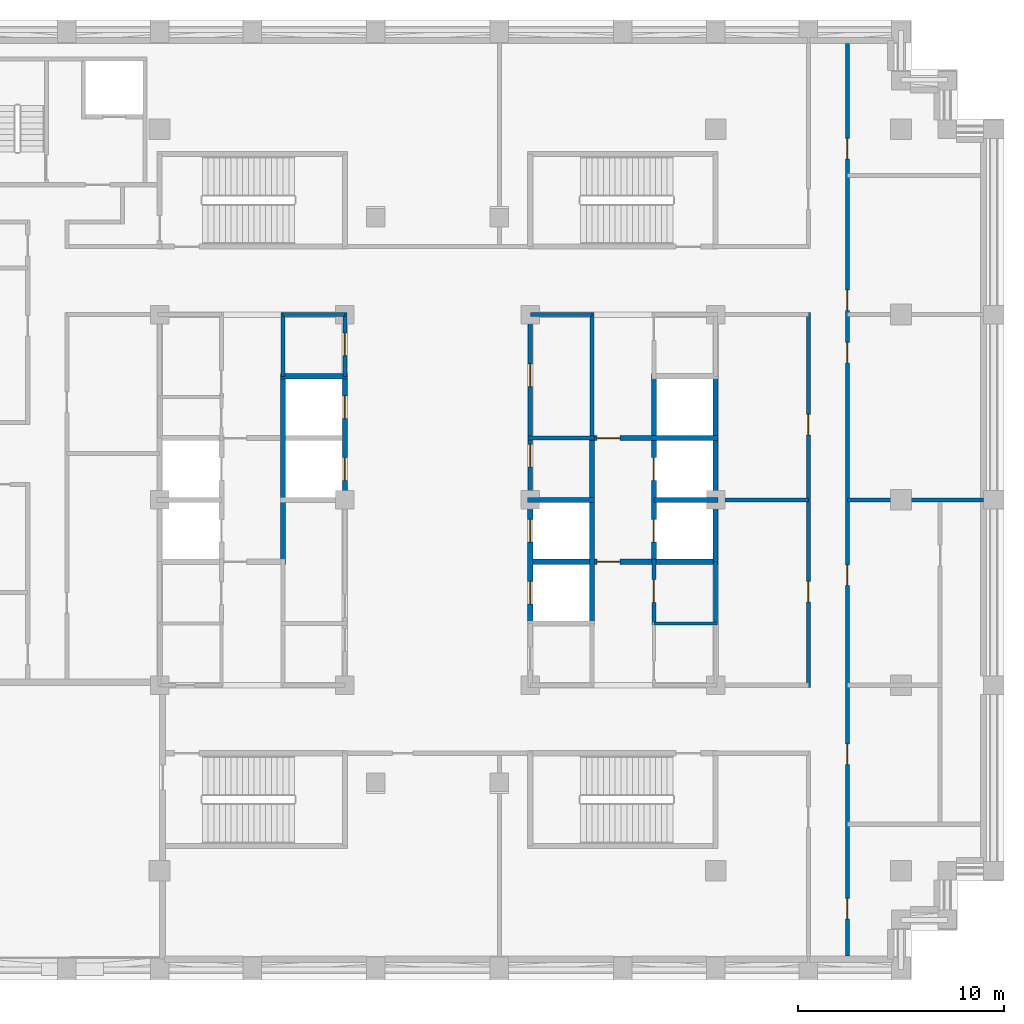
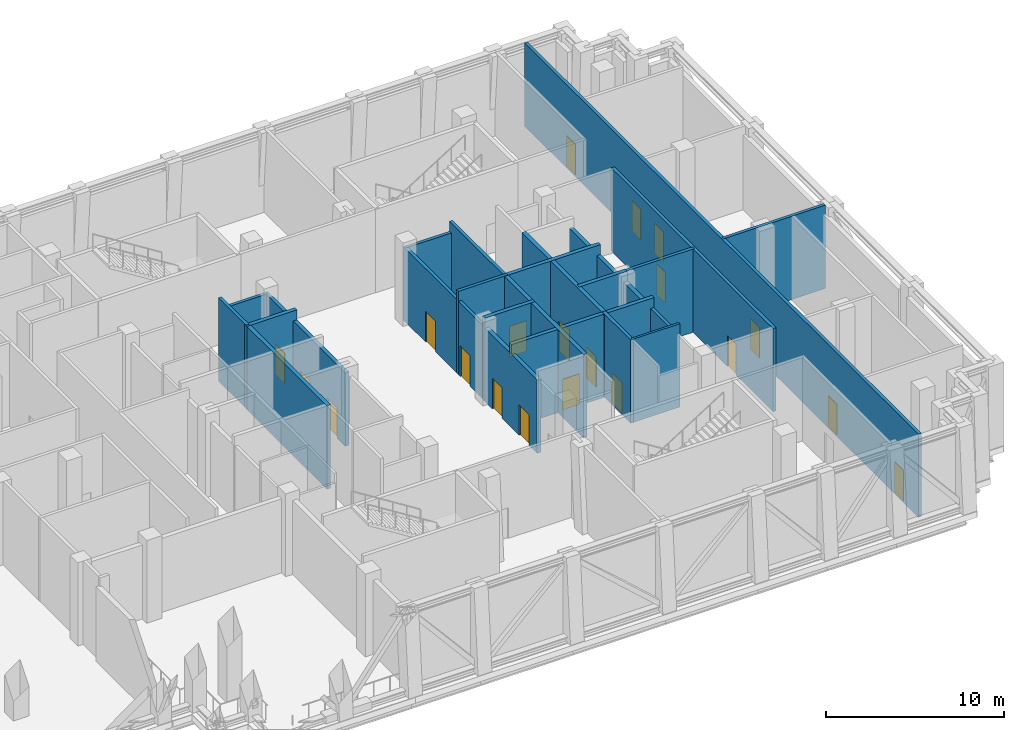
# One storey, part 6 of 10: 25 walls, 20 doors, 20 openings.
"""IFC4 building model written with IfcOpenShell, lengths in metres."""

import ifcopenshell
import ifcopenshell.guid

model = None  # the IFC model being written
_history = None  # IfcOwnerHistory: only IFC2X3 demands one
_inside = {}  # id of a spatial element -> (the spatial element, [elements in it])
_under = {}  # id of a project, library or spatial element -> (it, [spatial elements below it])
_declared = {}  # id of a project -> (the project, [libraries it declares])
_typed = {}  # id of a type object -> (the type object, [elements of that type])
_made_of = {}  # id of a material, layer set ... -> (it, [elements and type objects made of it])


def new_model(schema):
    """Start an empty IFC model of exactly this schema.

    Asked for "IFC4X3", IfcOpenShell would pick the latest addendum, in which some entities
    have other attributes; the version numbers below select the first issue.
    IFC2X3 requires an IfcOwnerHistory on every rooted entity: one is made here for all.
    """
    global model, _history
    if schema == "IFC4X3":
        model = ifcopenshell.file(schema_version=(4, 3, 0, 0))
    else:
        model = ifcopenshell.file(schema=schema)
    _inside.clear()
    _under.clear()
    _declared.clear()
    _typed.clear()
    _made_of.clear()
    _history = None
    if model.schema == "IFC2X3":
        org = make("IfcOrganization", Name="unknown")
        user = make(
            "IfcPersonAndOrganization",
            ThePerson=make("IfcPerson", FamilyName="unknown"),
            TheOrganization=org,
        )
        app = make(
            "IfcApplication",
            ApplicationDeveloper=org,
            Version="unknown",
            ApplicationFullName="unknown",
            ApplicationIdentifier="unknown",
        )
        _history = make(
            "IfcOwnerHistory",
            OwningUser=user,
            OwningApplication=app,
            ChangeAction="ADDED",
            CreationDate=0,
        )
    return model


def make(cls, **values):
    """One entity of the class cls with the attributes given. An attribute that is None is left unset."""
    return model.create_entity(
        cls, **{name: value for name, value in values.items() if value is not None}
    )


def rooted(cls, **values):
    """An entity with a GlobalId (a new one), such as an element, a storey or a relation."""
    return make(cls, GlobalId=ifcopenshell.guid.new(), OwnerHistory=_history, **values)


def si_unit(unit_type, name, prefix=None):
    """IfcSIUnit, for example si_unit("LENGTHUNIT", "METRE", prefix="MILLI")."""
    return make("IfcSIUnit", UnitType=unit_type, Prefix=prefix, Name=name)


def assignment(units):
    """IfcUnitAssignment: the units of a project."""
    return None if units is None else make("IfcUnitAssignment", Units=units)


def point(xyz):
    """IfcCartesianPoint."""
    return None if xyz is None else make("IfcCartesianPoint", Coordinates=xyz)


def direction(xyz):
    """IfcDirection."""
    return None if xyz is None else make("IfcDirection", DirectionRatios=xyz)


def frame(location, z_axis=None, x_axis=None):
    """IfcAxis2Placement3D, a coordinate frame: its origin and axes. An axis left out is left unset."""
    return make(
        "IfcAxis2Placement3D",
        Location=point(location),
        Axis=direction(z_axis),
        RefDirection=direction(x_axis),
    )


def frame_2d(location, x_axis=None):
    """IfcAxis2Placement2D, a coordinate frame in the plane: its origin and x axis."""
    return make(
        "IfcAxis2Placement2D", Location=point(location), RefDirection=direction(x_axis)
    )


def origin():
    """The frame at (0, 0, 0) with its axes left unset."""
    return frame((0.0, 0.0, 0.0))


def place(relative_to, where):
    """IfcLocalPlacement: puts the frame where relative to a parent placement (None: the world)."""
    return make(
        "IfcLocalPlacement", PlacementRelTo=relative_to, RelativePlacement=where
    )


def context(
    kind, dimensions, precision=None, world=None, true_north=None, identifier=None
):
    """IfcGeometricRepresentationContext, for example the 3D "Model" context."""
    return make(
        "IfcGeometricRepresentationContext",
        ContextIdentifier=identifier,
        ContextType=kind,
        CoordinateSpaceDimension=dimensions,
        Precision=precision,
        WorldCoordinateSystem=world,
        TrueNorth=true_north,
    )


def subcontext(parent, identifier, kind, view, scale=None):
    """IfcGeometricRepresentationSubContext, for example "Body" below "Model"."""
    return make(
        "IfcGeometricRepresentationSubContext",
        ContextIdentifier=identifier,
        ContextType=kind,
        ParentContext=parent,
        TargetScale=scale,
        TargetView=view,
    )


def project(units=None, contexts=None):
    """IfcProject with its units and contexts."""
    return rooted(
        "IfcProject",
        Name="project",
        RepresentationContexts=contexts,
        UnitsInContext=assignment(units),
    )


def spatial(cls, under=None, at=None, **own):
    """A site, building, storey or space (cls), placed at a placement, below another one or the project."""
    s = rooted(cls, ObjectPlacement=at, **own)
    if under is not None:
        _under.setdefault(under.id(), (under, []))[1].append(s)
    return s


def profile(cls, at=None, kind="AREA", **sizes):
    """A parametric profile (cls). Its sizes go by their IFC names, for example OverallWidth=200.0."""
    return make(cls, ProfileType=kind, Position=at, **sizes)


def rectangle(**sizes):
    """IfcRectangleProfileDef."""
    return profile("IfcRectangleProfileDef", **sizes)


def extrude(swept, where, along, depth):
    """IfcExtrudedAreaSolid: the profile swept, set in the frame where, extruded along a direction by depth."""
    return make(
        "IfcExtrudedAreaSolid",
        SweptArea=swept,
        Position=where,
        ExtrudedDirection=direction(along),
        Depth=depth,
    )


def shape(context_of_items, identifier, shape_type, items):
    """IfcShapeRepresentation: the items that make up one representation, for example the "Body"."""
    return make(
        "IfcShapeRepresentation",
        ContextOfItems=context_of_items,
        RepresentationIdentifier=identifier,
        RepresentationType=shape_type,
        Items=items,
    )


def material(Name=None, Category=None):
    """IfcMaterial."""
    return make("IfcMaterial", Name=Name, Category=Category)


def layer(
    of_material, thickness, ventilated=None, Name=None, Category=None, Priority=None
):
    """IfcMaterialLayer: one layer of a wall or slab, of a material (None: an air gap)."""
    return make(
        "IfcMaterialLayer",
        Material=of_material,
        LayerThickness=thickness,
        IsVentilated=ventilated,
        Name=Name,
        Category=Category,
        Priority=Priority,
    )


def layer_set(layers, Name=None):
    """IfcMaterialLayerSet."""
    return make("IfcMaterialLayerSet", MaterialLayers=layers, LayerSetName=Name)


def made_of(thing, what):
    """Note that an element or type object is made of a material, layer set ...; save() writes the relation."""
    if what is not None:
        _made_of.setdefault(what.id(), (what, []))[1].append(thing)
    return thing


def type_object(cls, material=None, **own):
    """A type object (cls), such as IfcWallType, which elements share."""
    return made_of(rooted(cls, **own), material)


def element(
    cls,
    number,
    at=None,
    inside=None,
    cuts=None,
    type_object=None,
    material=None,
    context=None,
    identifier="Body",
    shape_type=None,
    held_by="IfcProductDefinitionShape",
    body=None,
    shapes=None,
    **own,
):
    """One element of the class cls, such as IfcWall. Its Tag is "e" and its number.

    at: its placement. inside: the storey or other place that contains it. cuts: it is an
    opening in that element (IfcRelVoidsElement). A single representation is given by context,
    identifier, shape_type and body (its items); several are given by shapes. held_by: the class
    of the entity that holds the representations. save() writes the other relations.
    """
    e = rooted(cls, Tag="e%d" % number, ObjectPlacement=at, **own)
    if body is not None:
        shapes = [shape(context, identifier, shape_type, body)]
    if shapes is not None:
        e.Representation = make(held_by, Representations=shapes)
    if inside is not None:
        _inside.setdefault(inside.id(), (inside, []))[1].append(e)
    if cuts is not None:
        rooted(
            "IfcRelVoidsElement", RelatingBuildingElement=cuts, RelatedOpeningElement=e
        )
    if type_object is not None:
        _typed.setdefault(type_object.id(), (type_object, []))[1].append(e)
    return made_of(e, material)


def fill(opening, filler):
    """IfcRelFillsElement: the door or window that sits in an opening."""
    return rooted(
        "IfcRelFillsElement",
        RelatingOpeningElement=opening,
        RelatedBuildingElement=filler,
    )


def aggregate(whole, parts):
    """IfcRelAggregates: a whole, such as a stair, and the parts it consists of."""
    return rooted("IfcRelAggregates", RelatingObject=whole, RelatedObjects=parts)


def save(model, path):
    """Write the relations noted so far, then the file.

    IfcRelAggregates (storeys below a building ...), IfcRelContainedInSpatialStructure (elements
    in a storey), IfcRelDefinesByType, IfcRelAssociatesMaterial and IfcRelDeclares: one each for
    every whole, place, type object, material and project.
    """
    for whole, parts in _under.values():
        aggregate(whole, parts)
    for where, things in _inside.values():
        rooted(
            "IfcRelContainedInSpatialStructure",
            RelatedElements=things,
            RelatingStructure=where,
        )
    for kind, things in _typed.values():
        rooted("IfcRelDefinesByType", RelatedObjects=things, RelatingType=kind)
    for what, things in _made_of.values():
        rooted("IfcRelAssociatesMaterial", RelatedObjects=things, RelatingMaterial=what)
    for by, libraries in _declared.values():
        rooted("IfcRelDeclares", RelatingContext=by, RelatedDefinitions=libraries)
    model.write(path)


model = new_model("IFC4")

# Units and contexts
model_context = context("Model", 3, precision=1e-05, world=origin(), true_north=direction((0.0, 1.0)))
body_context = subcontext(model_context, "Body", "Model", "MODEL_VIEW")
ifc_project = project(units=[si_unit("LENGTHUNIT", "METRE"), si_unit("AREAUNIT", "SQUARE_METRE"), si_unit("VOLUMEUNIT", "CUBIC_METRE"), si_unit("PLANEANGLEUNIT", "RADIAN"), si_unit("MASSUNIT", "GRAM", prefix="KILO")], contexts=[model_context])

# Site, building, storey
site_placement = place(None, origin())
site = spatial("IfcSite", under=ifc_project, at=site_placement, CompositionType="ELEMENT")
building_placement = place(site_placement, origin())
building = spatial("IfcBuilding", under=site, at=building_placement, Name="Corbelhall Arena Tower", CompositionType="ELEMENT")
storey_placement = place(building_placement, frame((0.0, 0.0, 236.0)))
storey = spatial("IfcBuildingStorey", under=building, at=storey_placement, Name="L50", CompositionType="ELEMENT", Elevation=236.0)

# Wall
ifc_material_1 = material(Name="Gypsum board on steel stud, acoustic", Category="steel")
ifc_layer_1 = layer(ifc_material_1, 0.199951171875)
ifc_layer_set_1 = layer_set([ifc_layer_1], Name="IN-W-DM200")
wall_type_1 = type_object("IfcWallType", Name="IN-W-DM200", PredefinedType="PARTITIONING", material=ifc_layer_set_1)
wall_1_placement = place(storey_placement, frame((13.5, 0.0, 0.0), z_axis=(0.0, 0.0, 1.0), x_axis=(1.0, 0.0, 0.0)))
element("IfcWall", 1, at=wall_1_placement, inside=storey, type_object=wall_type_1, Name="Partition 029", PredefinedType="PARTITIONING", context=body_context, shape_type="SweptSolid", body=[
    extrude(rectangle(XDim=4.5, YDim=0.199951171875, at=frame_2d((2.25, 0.0))), origin(), (0.0, 0.0, 1.0), 5.719970703125),
])

# Wall, openings, doors
wall_2_placement = place(storey_placement, frame((18.0, -9.10009765625, 0.0), z_axis=(0.0, 0.0, 1.0), x_axis=(0.0, 1.0, 0.0)))
wall_2 = element("IfcWall", 2, at=wall_2_placement, inside=storey, type_object=wall_type_1, Name="Partition 032", PredefinedType="PARTITIONING", context=body_context, shape_type="SweptSolid", body=[
    extrude(rectangle(XDim=18.2001953125, YDim=0.199951171875, at=frame_2d((9.10009765625, 0.0))), origin(), (0.0, 0.0, 1.0), 5.719970703125),
])
opening_1_placement = place(wall_2_placement, frame((4.14990234375, 0.0, 0.0)))
opening_1 = element("IfcOpeningElement", 3, at=opening_1_placement, cuts=wall_2, Name="Opening 28025", PredefinedType="OPENING", context=body_context, shape_type="SweptSolid", body=[
    extrude(rectangle(XDim=1.0, YDim=2.10009765625, at=frame_2d((0.5, 1.050048828125))), frame((0.0, 0.10009765625, 0.0), z_axis=(0.0, -1.0, 0.0), x_axis=(1.0, 0.0, 0.0)), (0.0, 0.0, 1.0), 0.199951171875),
])
opening_2_placement = place(wall_2_placement, frame((12.25, 0.0, 0.0)))
opening_2 = element("IfcOpeningElement", 4, at=opening_2_placement, cuts=wall_2, Name="Opening 28026", PredefinedType="OPENING", context=body_context, shape_type="SweptSolid", body=[
    extrude(rectangle(XDim=1.0, YDim=2.10009765625, at=frame_2d((0.5, 1.050048828125))), frame((0.0, 0.10009765625, 0.0), z_axis=(0.0, -1.0, 0.0), x_axis=(1.0, 0.0, 0.0)), (0.0, 0.0, 1.0), 0.199951171875),
])
ifc_material_2 = material(Name="Steel door set", Category="steel")
door_type_1 = type_object("IfcDoorType", Name="IN-D-SW100", OperationType="NOTDEFINED", PredefinedType="DOOR", material=ifc_material_2)
door_1_placement = place(opening_1_placement, origin())
door_1 = element("IfcDoor", 5, at=door_1_placement, inside=storey, type_object=door_type_1, Name="Door 025", OperationType="SINGLE_SWING_RIGHT", OverallHeight=2.10009765625, OverallWidth=1.0, PredefinedType="DOOR", context=body_context, shape_type="SweptSolid", body=[
    extrude(rectangle(XDim=1.0, YDim=2.10009765625, at=frame_2d((0.5, 1.050048828125))), frame((0.0, 0.02490234375, 0.0), z_axis=(0.0, -1.0, 0.0), x_axis=(1.0, 0.0, 0.0)), (0.0, 0.0, 1.0), 0.050048828125),
])
fill(opening_1, door_1)
door_2_placement = place(opening_2_placement, origin())
door_2 = element("IfcDoor", 6, at=door_2_placement, inside=storey, type_object=door_type_1, Name="Door 026", OperationType="SINGLE_SWING_LEFT", OverallHeight=2.10009765625, OverallWidth=1.0, PredefinedType="DOOR", context=body_context, shape_type="SweptSolid", body=[
    extrude(rectangle(XDim=1.0, YDim=2.10009765625, at=frame_2d((0.5, 1.050048828125))), frame((0.0, 0.02490234375, 0.0), z_axis=(0.0, -1.0, 0.0), x_axis=(1.0, 0.0, 0.0)), (0.0, 0.0, 1.0), 0.050048828125),
])
fill(opening_2, door_2)

wall_3_placement = place(storey_placement, frame((19.89990234375, 22.14990234375, 0.0), z_axis=(0.0, 0.0, 1.0), x_axis=(0.0, -1.0, 0.0)))
wall_3 = element("IfcWall", 7, at=wall_3_placement, inside=storey, type_object=wall_type_1, Name="Partition 036", PredefinedType="PARTITIONING", context=body_context, shape_type="SweptSolid", body=[
    extrude(rectangle(XDim=44.2998046875, YDim=0.199951171875, at=frame_2d((22.14990234375, 0.0))), origin(), (0.0, 0.0, 1.0), 5.719970703125),
])
opening_3_placement = place(wall_3_placement, frame((14.5, 0.0, 0.0)))
opening_3 = element("IfcOpeningElement", 8, at=opening_3_placement, cuts=wall_3, Name="Opening 28035", PredefinedType="OPENING", context=body_context, shape_type="SweptSolid", body=[
    extrude(rectangle(XDim=1.0, YDim=2.10009765625, at=frame_2d((0.5, 1.050048828125))), frame((0.0, 0.10009765625, 0.0), z_axis=(0.0, -1.0, 0.0), x_axis=(1.0, 0.0, 0.0)), (0.0, 0.0, 1.0), 0.199951171875),
])
opening_4_placement = place(wall_3_placement, frame((11.949951171875, 0.0, 0.0)))
opening_4 = element("IfcOpeningElement", 9, at=opening_4_placement, cuts=wall_3, Name="Opening 28036", PredefinedType="OPENING", context=body_context, shape_type="SweptSolid", body=[
    extrude(rectangle(XDim=1.0, YDim=2.10009765625, at=frame_2d((0.5, 1.050048828125))), frame((0.0, 0.10009765625, 0.0), z_axis=(0.0, -1.0, 0.0), x_axis=(1.0, 0.0, 0.0)), (0.0, 0.0, 1.0), 0.199951171875),
])
opening_5_placement = place(wall_3_placement, frame((4.60009765625, 0.0, 0.0)))
opening_5 = element("IfcOpeningElement", 10, at=opening_5_placement, cuts=wall_3, Name="Opening 28037", PredefinedType="OPENING", context=body_context, shape_type="SweptSolid", body=[
    extrude(rectangle(XDim=1.0, YDim=2.10009765625, at=frame_2d((0.5, 1.050048828125))), frame((0.0, 0.10009765625, 0.0), z_axis=(0.0, -1.0, 0.0), x_axis=(1.0, 0.0, 0.0)), (0.0, 0.0, 1.0), 0.199951171875),
])
opening_6_placement = place(wall_3_placement, frame((41.5, 0.0, 0.0)))
opening_6 = element("IfcOpeningElement", 11, at=opening_6_placement, cuts=wall_3, Name="Opening 28038", PredefinedType="OPENING", context=body_context, shape_type="SweptSolid", body=[
    extrude(rectangle(XDim=1.0, YDim=2.10009765625, at=frame_2d((0.5, 1.050048828125))), frame((0.0, 0.10009765625, 0.0), z_axis=(0.0, -1.0, 0.0), x_axis=(1.0, 0.0, 0.0)), (0.0, 0.0, 1.0), 0.199951171875),
])
opening_7_placement = place(wall_3_placement, frame((34.0, 0.0, 0.0)))
opening_7 = element("IfcOpeningElement", 12, at=opening_7_placement, cuts=wall_3, Name="Opening 28039", PredefinedType="OPENING", context=body_context, shape_type="SweptSolid", body=[
    extrude(rectangle(XDim=1.0, YDim=2.10009765625, at=frame_2d((0.5, 1.050048828125))), frame((0.0, 0.10009765625, 0.0), z_axis=(0.0, -1.0, 0.0), x_axis=(1.0, 0.0, 0.0)), (0.0, 0.0, 1.0), 0.199951171875),
])
opening_8_placement = place(wall_3_placement, frame((25.300048828125, 0.0, 0.0)))
opening_8 = element("IfcOpeningElement", 13, at=opening_8_placement, cuts=wall_3, Name="Opening 28040", PredefinedType="OPENING", context=body_context, shape_type="SweptSolid", body=[
    extrude(rectangle(XDim=1.0, YDim=2.10009765625, at=frame_2d((0.5, 1.050048828125))), frame((0.0, 0.10009765625, 0.0), z_axis=(0.0, -1.0, 0.0), x_axis=(1.0, 0.0, 0.0)), (0.0, 0.0, 1.0), 0.199951171875),
])
door_3_placement = place(opening_3_placement, origin())
door_3 = element("IfcDoor", 14, at=door_3_placement, inside=storey, type_object=door_type_1, Name="Door 035", OperationType="SINGLE_SWING_RIGHT", OverallHeight=2.10009765625, OverallWidth=1.0, PredefinedType="DOOR", context=body_context, shape_type="SweptSolid", body=[
    extrude(rectangle(XDim=1.0, YDim=2.10009765625, at=frame_2d((0.5, 1.050048828125))), frame((0.0, 0.02490234375, 0.0), z_axis=(0.0, -1.0, 0.0), x_axis=(1.0, 0.0, 0.0)), (0.0, 0.0, 1.0), 0.050048828125),
])
fill(opening_3, door_3)
door_4_placement = place(opening_4_placement, origin())
door_4 = element("IfcDoor", 15, at=door_4_placement, inside=storey, type_object=door_type_1, Name="Door 036", OperationType="SINGLE_SWING_LEFT", OverallHeight=2.10009765625, OverallWidth=1.0, PredefinedType="DOOR", context=body_context, shape_type="SweptSolid", body=[
    extrude(rectangle(XDim=1.0, YDim=2.10009765625, at=frame_2d((0.5, 1.050048828125))), frame((0.0, 0.02490234375, 0.0), z_axis=(0.0, -1.0, 0.0), x_axis=(1.0, 0.0, 0.0)), (0.0, 0.0, 1.0), 0.050048828125),
])
fill(opening_4, door_4)
door_5_placement = place(opening_5_placement, origin())
door_5 = element("IfcDoor", 16, at=door_5_placement, inside=storey, type_object=door_type_1, Name="Door 037", OperationType="SINGLE_SWING_RIGHT", OverallHeight=2.10009765625, OverallWidth=1.0, PredefinedType="DOOR", context=body_context, shape_type="SweptSolid", body=[
    extrude(rectangle(XDim=1.0, YDim=2.10009765625, at=frame_2d((0.5, 1.050048828125))), frame((0.0, 0.02490234375, 0.0), z_axis=(0.0, -1.0, 0.0), x_axis=(1.0, 0.0, 0.0)), (0.0, 0.0, 1.0), 0.050048828125),
])
fill(opening_5, door_5)
door_6_placement = place(opening_6_placement, origin())
door_6 = element("IfcDoor", 17, at=door_6_placement, inside=storey, type_object=door_type_1, Name="Door 038", OperationType="SINGLE_SWING_LEFT", OverallHeight=2.10009765625, OverallWidth=1.0, PredefinedType="DOOR", context=body_context, shape_type="SweptSolid", body=[
    extrude(rectangle(XDim=1.0, YDim=2.10009765625, at=frame_2d((0.5, 1.050048828125))), frame((0.0, 0.02490234375, 0.0), z_axis=(0.0, -1.0, 0.0), x_axis=(1.0, 0.0, 0.0)), (0.0, 0.0, 1.0), 0.050048828125),
])
fill(opening_6, door_6)
door_7_placement = place(opening_7_placement, origin())
door_7 = element("IfcDoor", 18, at=door_7_placement, inside=storey, type_object=door_type_1, Name="Door 039", OperationType="SINGLE_SWING_RIGHT", OverallHeight=2.10009765625, OverallWidth=1.0, PredefinedType="DOOR", context=body_context, shape_type="SweptSolid", body=[
    extrude(rectangle(XDim=1.0, YDim=2.10009765625, at=frame_2d((0.5, 1.050048828125))), frame((0.0, 0.02490234375, 0.0), z_axis=(0.0, -1.0, 0.0), x_axis=(1.0, 0.0, 0.0)), (0.0, 0.0, 1.0), 0.050048828125),
])
fill(opening_7, door_7)
door_8_placement = place(opening_8_placement, origin())
door_8 = element("IfcDoor", 19, at=door_8_placement, inside=storey, type_object=door_type_1, Name="Door 040", OperationType="SINGLE_SWING_LEFT", OverallHeight=2.10009765625, OverallWidth=1.0, PredefinedType="DOOR", context=body_context, shape_type="SweptSolid", body=[
    extrude(rectangle(XDim=1.0, YDim=2.10009765625, at=frame_2d((0.5, 1.050048828125))), frame((0.0, 0.02490234375, 0.0), z_axis=(0.0, -1.0, 0.0), x_axis=(1.0, 0.0, 0.0)), (0.0, 0.0, 1.0), 0.050048828125),
])
fill(opening_8, door_8)

# Walls
wall_4_placement = place(storey_placement, frame((26.5, 0.0, 0.0), z_axis=(0.0, 0.0, 1.0), x_axis=(-1.0, 0.0, 0.0)))
element("IfcWall", 20, at=wall_4_placement, inside=storey, type_object=wall_type_1, Name="Partition 041", PredefinedType="PARTITIONING", context=body_context, shape_type="SweptSolid", body=[
    extrude(rectangle(XDim=6.60009765625, YDim=0.199951171875, at=frame_2d((3.300048828125, 0.0))), origin(), (0.0, 0.0, 1.0), 5.719970703125),
])
ifc_material_3 = material(Name="Concrete block wall", Category="concrete")
ifc_layer_2 = layer(ifc_material_3, 0.199951171875)
ifc_layer_set_2 = layer_set([ifc_layer_2], Name="IN-W-RS200")
wall_type_2 = type_object("IfcWallType", Name="IN-W-RS200", PredefinedType="SOLIDWALL", material=ifc_layer_set_2)
wall_5_placement = place(storey_placement, frame((-7.5, 6.0, 0.0), z_axis=(0.0, 0.0, 1.0), x_axis=(0.0, 1.0, 0.0)))
element("IfcWall", 21, at=wall_5_placement, inside=storey, type_object=wall_type_2, Name="Partition 049", PredefinedType="SOLIDWALL", context=body_context, shape_type="SweptSolid", body=[
    extrude(rectangle(XDim=3.10009765625, YDim=0.199951171875, at=frame_2d((1.550048828125, 0.0))), origin(), (0.0, 0.0, 1.0), 5.719970703125),
])
wall_6_placement = place(storey_placement, frame((4.39990234375, 3.0, 0.0), z_axis=(0.0, 0.0, 1.0), x_axis=(1.0, 0.0, 0.0)))
element("IfcWall", 22, at=wall_6_placement, inside=storey, type_object=wall_type_2, Name="Partition 054", PredefinedType="SOLIDWALL", context=body_context, shape_type="SweptSolid", body=[
    extrude(rectangle(XDim=3.22509765625, YDim=0.199951171875, at=frame_2d((1.612548828125, 0.0))), origin(), (0.0, 0.0, 1.0), 5.719970703125),
])
wall_7_placement = place(storey_placement, frame((7.5, 9.10009765625, 0.0), z_axis=(0.0, 0.0, 1.0), x_axis=(0.0, -1.0, 0.0)))
element("IfcWall", 23, at=wall_7_placement, inside=storey, type_object=wall_type_2, Name="Partition 060", PredefinedType="SOLIDWALL", context=body_context, shape_type="SweptSolid", body=[
    extrude(rectangle(XDim=6.22509765625, YDim=0.199951171875, at=frame_2d((3.112548828125, 0.0))), origin(), (0.0, 0.0, 1.0), 5.719970703125),
])

# Wall, opening, door
wall_8_placement = place(storey_placement, frame((10.5, -2.875, 0.0), z_axis=(0.0, 0.0, 1.0), x_axis=(0.0, -1.0, 0.0)))
wall_8 = element("IfcWall", 24, at=wall_8_placement, inside=storey, type_object=wall_type_2, Name="Partition 061", PredefinedType="SOLIDWALL", context=body_context, shape_type="SweptSolid", body=[
    extrude(rectangle(XDim=3.199951171875, YDim=0.199951171875, at=frame_2d((1.60009765625, 0.0))), origin(), (0.0, 0.0, 1.0), 5.719970703125),
])
opening_9_placement = place(wall_8_placement, frame((1.0, 0.0, 0.0)))
opening_9 = element("IfcOpeningElement", 25, at=opening_9_placement, cuts=wall_8, Name="Opening 28015", PredefinedType="OPENING", context=body_context, shape_type="SweptSolid", body=[
    extrude(rectangle(XDim=1.10009765625, YDim=2.10009765625, at=frame_2d((0.550048828125, 1.050048828125))), frame((0.0, 0.10009765625, 0.0), z_axis=(0.0, -1.0, 0.0), x_axis=(1.0, 0.0, 0.0)), (0.0, 0.0, 1.0), 0.199951171875),
])
door_type_2 = type_object("IfcDoorType", Name="IN-D-FD110", OperationType="NOTDEFINED", PredefinedType="DOOR", material=ifc_material_2)
door_9_placement = place(opening_9_placement, origin())
door_9 = element("IfcDoor", 26, at=door_9_placement, inside=storey, type_object=door_type_2, Name="Door 015", OperationType="SINGLE_SWING_RIGHT", OverallHeight=2.10009765625, OverallWidth=1.10009765625, PredefinedType="DOOR", context=body_context, shape_type="SweptSolid", body=[
    extrude(rectangle(XDim=1.10009765625, YDim=2.10009765625, at=frame_2d((0.550048828125, 1.050048828125))), frame((0.0, 0.02490234375, 0.0), z_axis=(0.0, -1.0, 0.0), x_axis=(1.0, 0.0, 0.0)), (0.0, 0.0, 1.0), 0.050048828125),
])
fill(opening_9, door_9)

# Wall
ifc_layer_3 = layer(ifc_material_3, 0.199951171875)
ifc_layer_set_3 = layer_set([ifc_layer_3], Name="IN-W-RS200 under beam 678 mm")
wall_type_3 = type_object("IfcWallType", Name="IN-W-RS200 under beam 678 mm", PredefinedType="SOLIDWALL", material=ifc_layer_set_3)
wall_9_placement = place(storey_placement, frame((-7.5, 9.0, 0.0), z_axis=(0.0, 0.0, 1.0), x_axis=(1.0, 0.0, 0.0)))
element("IfcWall", 27, at=wall_9_placement, inside=storey, type_object=wall_type_3, Name="Partition 050", PredefinedType="SOLIDWALL", context=body_context, shape_type="SweptSolid", body=[
    extrude(rectangle(XDim=3.0, YDim=0.199951171875, at=frame_2d((1.5, 0.0))), origin(), (0.0, 0.0, 1.0), 5.041748046875),
])

# Wall, opening, door
wall_10_placement = place(storey_placement, frame((-4.5, 9.10009765625, 0.0), z_axis=(0.0, 0.0, 1.0), x_axis=(0.0, -1.0, 0.0)))
wall_10 = element("IfcWall", 28, at=wall_10_placement, inside=storey, type_object=wall_type_3, Name="Partition 053", PredefinedType="SOLIDWALL", context=body_context, shape_type="SweptSolid", body=[
    extrude(rectangle(XDim=3.10009765625, YDim=0.199951171875, at=frame_2d((1.550048828125, 0.0))), origin(), (0.0, 0.0, 1.0), 5.041748046875),
])
opening_10_placement = place(wall_10_placement, frame((1.0, 0.0, 0.0)))
opening_10 = element("IfcOpeningElement", 29, at=opening_10_placement, cuts=wall_10, Name="Opening 28003", PredefinedType="OPENING", context=body_context, shape_type="SweptSolid", body=[
    extrude(rectangle(XDim=1.10009765625, YDim=2.10009765625, at=frame_2d((0.550048828125, 1.050048828125))), frame((0.0, 0.10009765625, 0.0), z_axis=(0.0, -1.0, 0.0), x_axis=(1.0, 0.0, 0.0)), (0.0, 0.0, 1.0), 0.199951171875),
])
door_10_placement = place(opening_10_placement, origin())
door_10 = element("IfcDoor", 30, at=door_10_placement, inside=storey, type_object=door_type_2, Name="Door 003", OperationType="SINGLE_SWING_RIGHT", OverallHeight=2.10009765625, OverallWidth=1.10009765625, PredefinedType="DOOR", context=body_context, shape_type="SweptSolid", body=[
    extrude(rectangle(XDim=1.10009765625, YDim=2.10009765625, at=frame_2d((0.550048828125, 1.050048828125))), frame((0.0, 0.02490234375, 0.0), z_axis=(0.0, -1.0, 0.0), x_axis=(1.0, 0.0, 0.0)), (0.0, 0.0, 1.0), 0.050048828125),
])
fill(opening_10, door_10)

# Wall, openings, doors
wall_11_placement = place(storey_placement, frame((4.5, 0.0, 0.0), z_axis=(0.0, 0.0, 1.0), x_axis=(0.0, 1.0, 0.0)))
wall_11 = element("IfcWall", 31, at=wall_11_placement, inside=storey, type_object=wall_type_3, Name="Partition 056", PredefinedType="SOLIDWALL", context=body_context, shape_type="SweptSolid", body=[
    extrude(rectangle(XDim=9.10009765625, YDim=0.199951171875, at=frame_2d((4.550048828125, 0.0))), origin(), (0.0, 0.0, 1.0), 5.041748046875),
])
opening_11_placement = place(wall_11_placement, frame((1.60009765625, 0.0, 0.0)))
opening_11 = element("IfcOpeningElement", 32, at=opening_11_placement, cuts=wall_11, Name="Opening 28010", PredefinedType="OPENING", context=body_context, shape_type="SweptSolid", body=[
    extrude(rectangle(XDim=1.10009765625, YDim=2.10009765625, at=frame_2d((0.550048828125, 1.050048828125))), frame((0.0, 0.10009765625, 0.0), z_axis=(0.0, -1.0, 0.0), x_axis=(1.0, 0.0, 0.0)), (0.0, 0.0, 1.0), 0.199951171875),
])
opening_12_placement = place(wall_11_placement, frame((5.5, 0.0, 0.0)))
opening_12 = element("IfcOpeningElement", 33, at=opening_12_placement, cuts=wall_11, Name="Opening 28011", PredefinedType="OPENING", context=body_context, shape_type="SweptSolid", body=[
    extrude(rectangle(XDim=1.10009765625, YDim=2.10009765625, at=frame_2d((0.550048828125, 1.050048828125))), frame((0.0, 0.10009765625, 0.0), z_axis=(0.0, -1.0, 0.0), x_axis=(1.0, 0.0, 0.0)), (0.0, 0.0, 1.0), 0.199951171875),
])
door_11_placement = place(opening_11_placement, origin())
door_11 = element("IfcDoor", 34, at=door_11_placement, inside=storey, type_object=door_type_2, Name="Door 010", OperationType="SINGLE_SWING_LEFT", OverallHeight=2.10009765625, OverallWidth=1.10009765625, PredefinedType="DOOR", context=body_context, shape_type="SweptSolid", body=[
    extrude(rectangle(XDim=1.10009765625, YDim=2.10009765625, at=frame_2d((0.550048828125, 1.050048828125))), frame((0.0, 0.02490234375, 0.0), z_axis=(0.0, -1.0, 0.0), x_axis=(1.0, 0.0, 0.0)), (0.0, 0.0, 1.0), 0.050048828125),
])
fill(opening_11, door_11)
door_12_placement = place(opening_12_placement, origin())
door_12 = element("IfcDoor", 35, at=door_12_placement, inside=storey, type_object=door_type_2, Name="Door 011", OperationType="SINGLE_SWING_RIGHT", OverallHeight=2.10009765625, OverallWidth=1.10009765625, PredefinedType="DOOR", context=body_context, shape_type="SweptSolid", body=[
    extrude(rectangle(XDim=1.10009765625, YDim=2.10009765625, at=frame_2d((0.550048828125, 1.050048828125))), frame((0.0, 0.02490234375, 0.0), z_axis=(0.0, -1.0, 0.0), x_axis=(1.0, 0.0, 0.0)), (0.0, 0.0, 1.0), 0.050048828125),
])
fill(opening_12, door_12)

# Walls
for number, where, z_axis, x_axis, name in (
    (36, (4.5, 9.0, 0.0), (0.0, 0.0, 1.0), (1.0, 0.0, 0.0), "Partition 057"),
    (37, (13.5, -3.0, 0.0), (0.0, 0.0, 1.0), (0.0, -1.0, 0.0), "Partition 064"),
):
    element("IfcWall", number, at=place(storey_placement, frame(where, z_axis=z_axis, x_axis=x_axis)), inside=storey, type_object=wall_type_3, Name=name, PredefinedType="SOLIDWALL", context=body_context, shape_type="SweptSolid", body=[
        extrude(rectangle(XDim=3.0, YDim=0.199951171875, at=frame_2d((1.5, 0.0))), origin(), (0.0, 0.0, 1.0), 5.041748046875),
    ])
ifc_material_4 = material(Name="Concrete C40/50", Category="concrete")
ifc_layer_4 = layer(ifc_material_4, 0.25)
ifc_layer_set_4 = layer_set([ifc_layer_4], Name="IN-W-SH250")
wall_type_4 = type_object("IfcWallType", Name="IN-W-SH250", PredefinedType="SOLIDWALL", material=ifc_layer_set_4)
wall_12_placement = place(storey_placement, frame((-7.625, 6.0, 0.0), z_axis=(0.0, 0.0, 1.0), x_axis=(1.0, 0.0, 0.0)))
element("IfcWall", 38, at=wall_12_placement, inside=storey, type_object=wall_type_4, Name="Shaft wall 072", PredefinedType="SOLIDWALL", context=body_context, shape_type="SweptSolid", body=[
    extrude(rectangle(XDim=3.25, YDim=0.25, at=frame_2d((1.625, 0.0))), origin(), (0.0, 0.0, 1.0), 5.719970703125),
])
wall_13_placement = place(storey_placement, frame((-7.5, -3.125, 0.0), z_axis=(0.0, 0.0, 1.0), x_axis=(0.0, 1.0, 0.0)))
element("IfcWall", 39, at=wall_13_placement, inside=storey, type_object=wall_type_4, Name="Shaft wall 073", PredefinedType="SOLIDWALL", context=body_context, shape_type="SweptSolid", body=[
    extrude(rectangle(XDim=9.125, YDim=0.25, at=frame_2d((4.5625, 0.0))), origin(), (0.0, 0.0, 1.0), 5.719970703125),
])

# Wall, opening, door
wall_14_placement = place(storey_placement, frame((4.375, -3.0, 0.0), z_axis=(0.0, 0.0, 1.0), x_axis=(1.0, 0.0, 0.0)))
wall_14 = element("IfcWall", 40, at=wall_14_placement, inside=storey, type_object=wall_type_4, Name="Shaft wall 076", PredefinedType="SOLIDWALL", context=body_context, shape_type="SweptSolid", body=[
    extrude(rectangle(XDim=9.25, YDim=0.25, at=frame_2d((4.625, 0.0))), origin(), (0.0, 0.0, 1.0), 5.719970703125),
])
opening_13_placement = place(wall_14_placement, frame((3.375, 0.0, 0.0)))
opening_13 = element("IfcOpeningElement", 41, at=opening_13_placement, cuts=wall_14, Name="Opening 28012", PredefinedType="OPENING", context=body_context, shape_type="SweptSolid", body=[
    extrude(rectangle(XDim=1.10009765625, YDim=2.10009765625, at=frame_2d((0.550048828125, 1.050048828125))), frame((0.0, 0.125, 0.0), z_axis=(0.0, -1.0, 0.0), x_axis=(1.0, 0.0, 0.0)), (0.0, 0.0, 1.0), 0.25),
])
door_13_placement = place(opening_13_placement, origin())
door_13 = element("IfcDoor", 42, at=door_13_placement, inside=storey, type_object=door_type_2, Name="Door 012", OperationType="SINGLE_SWING_LEFT", OverallHeight=2.10009765625, OverallWidth=1.10009765625, PredefinedType="DOOR", context=body_context, shape_type="SweptSolid", body=[
    extrude(rectangle(XDim=1.10009765625, YDim=2.10009765625, at=frame_2d((0.550048828125, 1.050048828125))), frame((0.0, 0.02490234375, 0.0), z_axis=(0.0, -1.0, 0.0), x_axis=(1.0, 0.0, 0.0)), (0.0, 0.0, 1.0), 0.050048828125),
])
fill(opening_13, door_13)

# Walls
wall_15_placement = place(storey_placement, frame((4.375, 0.0, 0.0), z_axis=(0.0, 0.0, 1.0), x_axis=(1.0, 0.0, 0.0)))
element("IfcWall", 43, at=wall_15_placement, inside=storey, type_object=wall_type_4, Name="Shaft wall 077", PredefinedType="SOLIDWALL", context=body_context, shape_type="SweptSolid", body=[
    extrude(rectangle(XDim=3.25, YDim=0.25, at=frame_2d((1.625, 0.0))), origin(), (0.0, 0.0, 1.0), 5.719970703125),
])
wall_16_placement = place(storey_placement, frame((7.5, 3.125, 0.0), z_axis=(0.0, 0.0, 1.0), x_axis=(0.0, -1.0, 0.0)))
element("IfcWall", 44, at=wall_16_placement, inside=storey, type_object=wall_type_4, Name="Shaft wall 079", PredefinedType="SOLIDWALL", context=body_context, shape_type="SweptSolid", body=[
    extrude(rectangle(XDim=9.125, YDim=0.25, at=frame_2d((4.5625, 0.0))), origin(), (0.0, 0.0, 1.0), 5.719970703125),
])

# Wall, opening, door
wall_17_placement = place(storey_placement, frame((7.5, 3.0, 0.0), z_axis=(0.0, 0.0, 1.0), x_axis=(1.0, 0.0, 0.0)))
wall_17 = element("IfcWall", 45, at=wall_17_placement, inside=storey, type_object=wall_type_4, Name="Shaft wall 080", PredefinedType="SOLIDWALL", context=body_context, shape_type="SweptSolid", body=[
    extrude(rectangle(XDim=6.125, YDim=0.25, at=frame_2d((3.0625, 0.0))), origin(), (0.0, 0.0, 1.0), 5.719970703125),
])
opening_14_placement = place(wall_17_placement, frame((0.25, 0.0, 0.0)))
opening_14 = element("IfcOpeningElement", 46, at=opening_14_placement, cuts=wall_17, Name="Opening 28013", PredefinedType="OPENING", context=body_context, shape_type="SweptSolid", body=[
    extrude(rectangle(XDim=1.10009765625, YDim=2.10009765625, at=frame_2d((0.550048828125, 1.050048828125))), frame((0.0, 0.125, 0.0), z_axis=(0.0, -1.0, 0.0), x_axis=(1.0, 0.0, 0.0)), (0.0, 0.0, 1.0), 0.25),
])
door_14_placement = place(opening_14_placement, origin())
door_14 = element("IfcDoor", 47, at=door_14_placement, inside=storey, type_object=door_type_2, Name="Door 013", OperationType="SINGLE_SWING_RIGHT", OverallHeight=2.10009765625, OverallWidth=1.10009765625, PredefinedType="DOOR", context=body_context, shape_type="SweptSolid", body=[
    extrude(rectangle(XDim=1.10009765625, YDim=2.10009765625, at=frame_2d((0.550048828125, 1.050048828125))), frame((0.0, 0.02490234375, 0.0), z_axis=(0.0, -1.0, 0.0), x_axis=(1.0, 0.0, 0.0)), (0.0, 0.0, 1.0), 0.050048828125),
])
fill(opening_14, door_14)

# Wall
wall_18_placement = place(storey_placement, frame((10.5, 0.0, 0.0), z_axis=(0.0, 0.0, 1.0), x_axis=(1.0, 0.0, 0.0)))
element("IfcWall", 48, at=wall_18_placement, inside=storey, type_object=wall_type_4, Name="Shaft wall 081", PredefinedType="SOLIDWALL", context=body_context, shape_type="SweptSolid", body=[
    extrude(rectangle(XDim=3.125, YDim=0.25, at=frame_2d((1.5625, 0.0))), origin(), (0.0, 0.0, 1.0), 5.719970703125),
])

# Wall, openings, doors
wall_19_placement = place(storey_placement, frame((10.5, 6.125, 0.0), z_axis=(0.0, 0.0, 1.0), x_axis=(0.0, -1.0, 0.0)))
wall_19 = element("IfcWall", 49, at=wall_19_placement, inside=storey, type_object=wall_type_4, Name="Shaft wall 082", PredefinedType="SOLIDWALL", context=body_context, shape_type="SweptSolid", body=[
    extrude(rectangle(XDim=9.25, YDim=0.25, at=frame_2d((4.625, 0.0))), origin(), (0.0, 0.0, 1.0), 5.719970703125),
])
opening_15_placement = place(wall_19_placement, frame((7.074951171875, 0.0, 0.0)))
opening_15 = element("IfcOpeningElement", 50, at=opening_15_placement, cuts=wall_19, Name="Opening LD", PredefinedType="OPENING", context=body_context, shape_type="SweptSolid", body=[
    extrude(rectangle(XDim=1.10009765625, YDim=2.10009765625, at=frame_2d((0.550048828125, 1.050048828125))), frame((0.0, 0.125, 0.0), z_axis=(0.0, -1.0, 0.0), x_axis=(1.0, 0.0, 0.0)), (0.0, 0.0, 1.0), 0.25),
])
opening_16_placement = place(wall_19_placement, frame((4.074951171875, 0.0, 0.0)))
opening_16 = element("IfcOpeningElement", 51, at=opening_16_placement, cuts=wall_19, Name="Opening LD", PredefinedType="OPENING", context=body_context, shape_type="SweptSolid", body=[
    extrude(rectangle(XDim=1.10009765625, YDim=2.10009765625, at=frame_2d((0.550048828125, 1.050048828125))), frame((0.0, 0.125, 0.0), z_axis=(0.0, -1.0, 0.0), x_axis=(1.0, 0.0, 0.0)), (0.0, 0.0, 1.0), 0.25),
])
door_type_3 = type_object("IfcDoorType", Name="IN-D-LD110", OperationType="NOTDEFINED", PredefinedType="DOOR", material=ifc_material_2)
door_15_placement = place(opening_15_placement, origin())
door_15 = element("IfcDoor", 52, at=door_15_placement, inside=storey, type_object=door_type_3, Name="Landing door E3", OperationType="SLIDING_TO_LEFT", OverallHeight=2.10009765625, OverallWidth=1.10009765625, PredefinedType="DOOR", context=body_context, shape_type="SweptSolid", body=[
    extrude(rectangle(XDim=1.10009765625, YDim=2.10009765625, at=frame_2d((0.550048828125, 1.050048828125))), frame((0.0, 0.02490234375, 0.0), z_axis=(0.0, -1.0, 0.0), x_axis=(1.0, 0.0, 0.0)), (0.0, 0.0, 1.0), 0.050048828125),
])
fill(opening_15, door_15)
door_16_placement = place(opening_16_placement, origin())
door_16 = element("IfcDoor", 53, at=door_16_placement, inside=storey, type_object=door_type_3, Name="Landing door E4", OperationType="SLIDING_TO_LEFT", OverallHeight=2.10009765625, OverallWidth=1.10009765625, PredefinedType="DOOR", context=body_context, shape_type="SweptSolid", body=[
    extrude(rectangle(XDim=1.10009765625, YDim=2.10009765625, at=frame_2d((0.550048828125, 1.050048828125))), frame((0.0, 0.02490234375, 0.0), z_axis=(0.0, -1.0, 0.0), x_axis=(1.0, 0.0, 0.0)), (0.0, 0.0, 1.0), 0.050048828125),
])
fill(opening_16, door_16)

ifc_layer_5 = layer(ifc_material_4, 0.25)
ifc_layer_set_5 = layer_set([ifc_layer_5], Name="IN-W-SH250 under beam 678 mm")
wall_type_5 = type_object("IfcWallType", Name="IN-W-SH250 under beam 678 mm", PredefinedType="SOLIDWALL", material=ifc_layer_set_5)
wall_20_placement = place(storey_placement, frame((-4.5, 6.0, 0.0), z_axis=(0.0, 0.0, 1.0), x_axis=(0.0, -1.0, 0.0)))
wall_20 = element("IfcWall", 54, at=wall_20_placement, inside=storey, type_object=wall_type_5, Name="Shaft wall 074", PredefinedType="SOLIDWALL", context=body_context, shape_type="SweptSolid", body=[
    extrude(rectangle(XDim=6.0, YDim=0.25, at=frame_2d((3.0, 0.0))), origin(), (0.0, 0.0, 1.0), 5.041748046875),
])
opening_17_placement = place(wall_20_placement, frame((3.949951171875, 0.0, 0.0)))
opening_17 = element("IfcOpeningElement", 55, at=opening_17_placement, cuts=wall_20, Name="Opening LD", PredefinedType="OPENING", context=body_context, shape_type="SweptSolid", body=[
    extrude(rectangle(XDim=1.10009765625, YDim=2.10009765625, at=frame_2d((0.550048828125, 1.050048828125))), frame((0.0, 0.125, 0.0), z_axis=(0.0, -1.0, 0.0), x_axis=(1.0, 0.0, 0.0)), (0.0, 0.0, 1.0), 0.25),
])
opening_18_placement = place(wall_20_placement, frame((0.949951171875, 0.0, 0.0)))
opening_18 = element("IfcOpeningElement", 56, at=opening_18_placement, cuts=wall_20, Name="Opening LD", PredefinedType="OPENING", context=body_context, shape_type="SweptSolid", body=[
    extrude(rectangle(XDim=1.10009765625, YDim=2.10009765625, at=frame_2d((0.550048828125, 1.050048828125))), frame((0.0, 0.125, 0.0), z_axis=(0.0, -1.0, 0.0), x_axis=(1.0, 0.0, 0.0)), (0.0, 0.0, 1.0), 0.25),
])
door_17_placement = place(opening_17_placement, origin())
door_17 = element("IfcDoor", 57, at=door_17_placement, inside=storey, type_object=door_type_3, Name="Landing door W4", OperationType="SLIDING_TO_LEFT", OverallHeight=2.10009765625, OverallWidth=1.10009765625, PredefinedType="DOOR", context=body_context, shape_type="SweptSolid", body=[
    extrude(rectangle(XDim=1.10009765625, YDim=2.10009765625, at=frame_2d((0.550048828125, 1.050048828125))), frame((0.0, 0.02490234375, 0.0), z_axis=(0.0, -1.0, 0.0), x_axis=(1.0, 0.0, 0.0)), (0.0, 0.0, 1.0), 0.050048828125),
])
fill(opening_17, door_17)
door_18_placement = place(opening_18_placement, origin())
door_18 = element("IfcDoor", 58, at=door_18_placement, inside=storey, type_object=door_type_3, Name="Landing door W5", OperationType="SLIDING_TO_LEFT", OverallHeight=2.10009765625, OverallWidth=1.10009765625, PredefinedType="DOOR", context=body_context, shape_type="SweptSolid", body=[
    extrude(rectangle(XDim=1.10009765625, YDim=2.10009765625, at=frame_2d((0.550048828125, 1.050048828125))), frame((0.0, 0.02490234375, 0.0), z_axis=(0.0, -1.0, 0.0), x_axis=(1.0, 0.0, 0.0)), (0.0, 0.0, 1.0), 0.050048828125),
])
fill(opening_18, door_18)

wall_21_placement = place(storey_placement, frame((4.5, -6.0, 0.0), z_axis=(0.0, 0.0, 1.0), x_axis=(0.0, 1.0, 0.0)))
wall_21 = element("IfcWall", 59, at=wall_21_placement, inside=storey, type_object=wall_type_5, Name="Shaft wall 078", PredefinedType="SOLIDWALL", context=body_context, shape_type="SweptSolid", body=[
    extrude(rectangle(XDim=6.0, YDim=0.25, at=frame_2d((3.0, 0.0))), origin(), (0.0, 0.0, 1.0), 5.041748046875),
])
opening_19_placement = place(wall_21_placement, frame((0.949951171875, 0.0, 0.0)))
opening_19 = element("IfcOpeningElement", 60, at=opening_19_placement, cuts=wall_21, Name="Opening LD", PredefinedType="OPENING", context=body_context, shape_type="SweptSolid", body=[
    extrude(rectangle(XDim=1.10009765625, YDim=2.10009765625, at=frame_2d((0.550048828125, 1.050048828125))), frame((0.0, 0.125, 0.0), z_axis=(0.0, -1.0, 0.0), x_axis=(1.0, 0.0, 0.0)), (0.0, 0.0, 1.0), 0.25),
])
opening_20_placement = place(wall_21_placement, frame((3.949951171875, 0.0, 0.0)))
opening_20 = element("IfcOpeningElement", 61, at=opening_20_placement, cuts=wall_21, Name="Opening LD", PredefinedType="OPENING", context=body_context, shape_type="SweptSolid", body=[
    extrude(rectangle(XDim=1.10009765625, YDim=2.10009765625, at=frame_2d((0.550048828125, 1.050048828125))), frame((0.0, 0.125, 0.0), z_axis=(0.0, -1.0, 0.0), x_axis=(1.0, 0.0, 0.0)), (0.0, 0.0, 1.0), 0.25),
])
door_19_placement = place(opening_19_placement, origin())
door_19 = element("IfcDoor", 62, at=door_19_placement, inside=storey, type_object=door_type_3, Name="Landing door E2", OperationType="SLIDING_TO_LEFT", OverallHeight=2.10009765625, OverallWidth=1.10009765625, PredefinedType="DOOR", context=body_context, shape_type="SweptSolid", body=[
    extrude(rectangle(XDim=1.10009765625, YDim=2.10009765625, at=frame_2d((0.550048828125, 1.050048828125))), frame((0.0, 0.02490234375, 0.0), z_axis=(0.0, -1.0, 0.0), x_axis=(1.0, 0.0, 0.0)), (0.0, 0.0, 1.0), 0.050048828125),
])
fill(opening_19, door_19)
door_20_placement = place(opening_20_placement, origin())
door_20 = element("IfcDoor", 63, at=door_20_placement, inside=storey, type_object=door_type_3, Name="Landing door E3", OperationType="SLIDING_TO_LEFT", OverallHeight=2.10009765625, OverallWidth=1.10009765625, PredefinedType="DOOR", context=body_context, shape_type="SweptSolid", body=[
    extrude(rectangle(XDim=1.10009765625, YDim=2.10009765625, at=frame_2d((0.550048828125, 1.050048828125))), frame((0.0, 0.02490234375, 0.0), z_axis=(0.0, -1.0, 0.0), x_axis=(1.0, 0.0, 0.0)), (0.0, 0.0, 1.0), 0.050048828125),
])
fill(opening_20, door_20)

# Walls
wall_22_placement = place(storey_placement, frame((13.5, 6.0, 0.0), z_axis=(0.0, 0.0, 1.0), x_axis=(0.0, -1.0, 0.0)))
element("IfcWall", 64, at=wall_22_placement, inside=storey, type_object=wall_type_5, Name="Shaft wall 084", PredefinedType="SOLIDWALL", context=body_context, shape_type="SweptSolid", body=[
    extrude(rectangle(XDim=9.0, YDim=0.25, at=frame_2d((4.5, 0.0))), origin(), (0.0, 0.0, 1.0), 5.041748046875),
])
ifc_material_5 = material(Name="Gypsum board on steel stud, moisture resistant", Category="steel")
ifc_layer_6 = layer(ifc_material_5, 0.14990234375)
ifc_layer_set_6 = layer_set([ifc_layer_6], Name="IN-W-WC150")
wall_type_6 = type_object("IfcWallType", Name="IN-W-WC150", PredefinedType="PARTITIONING", material=ifc_layer_set_6)
wall_23_placement = place(storey_placement, frame((10.5, -6.0, 0.0), z_axis=(0.0, 0.0, 1.0), x_axis=(1.0, 0.0, 0.0)))
element("IfcWall", 65, at=wall_23_placement, inside=storey, type_object=wall_type_6, Name="Partition 113", PredefinedType="PARTITIONING", context=body_context, shape_type="SweptSolid", body=[
    extrude(rectangle(XDim=3.10009765625, YDim=0.14990234375, at=frame_2d((1.550048828125, 0.0))), origin(), (0.0, 0.0, 1.0), 5.719970703125),
])

save(model, "model.ifc")
